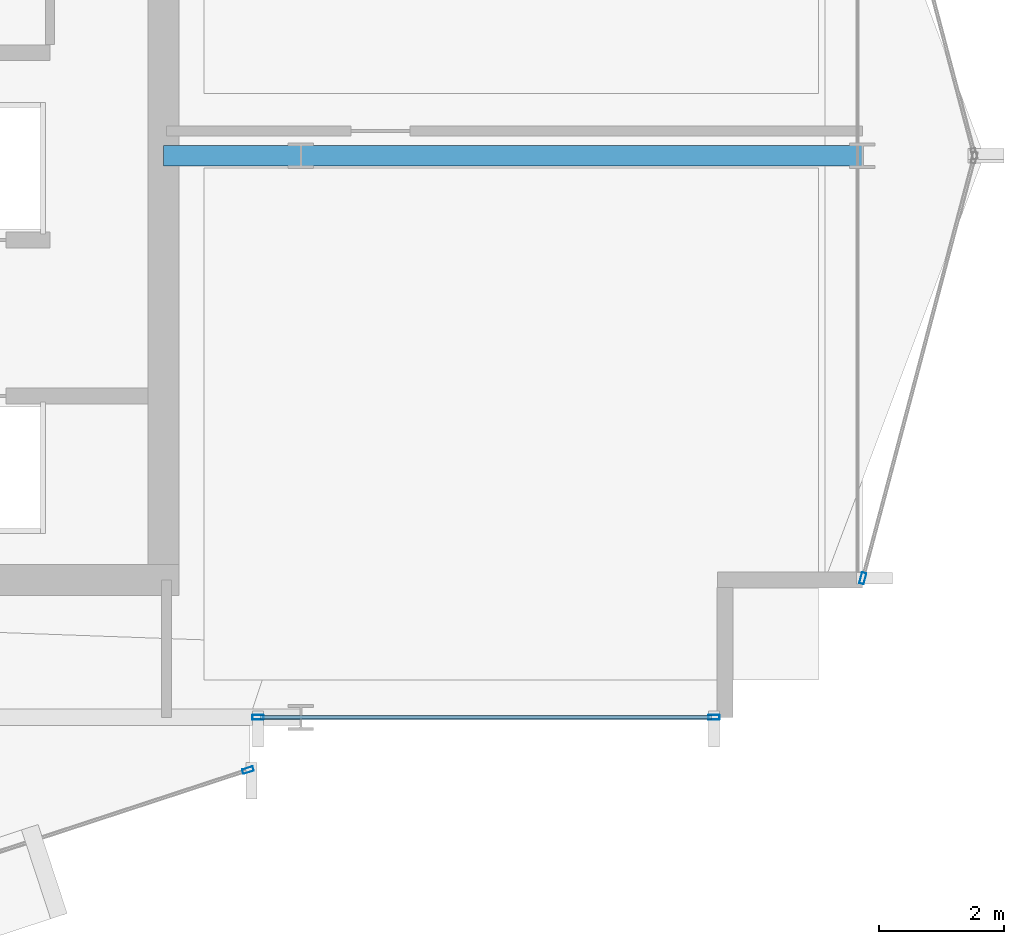
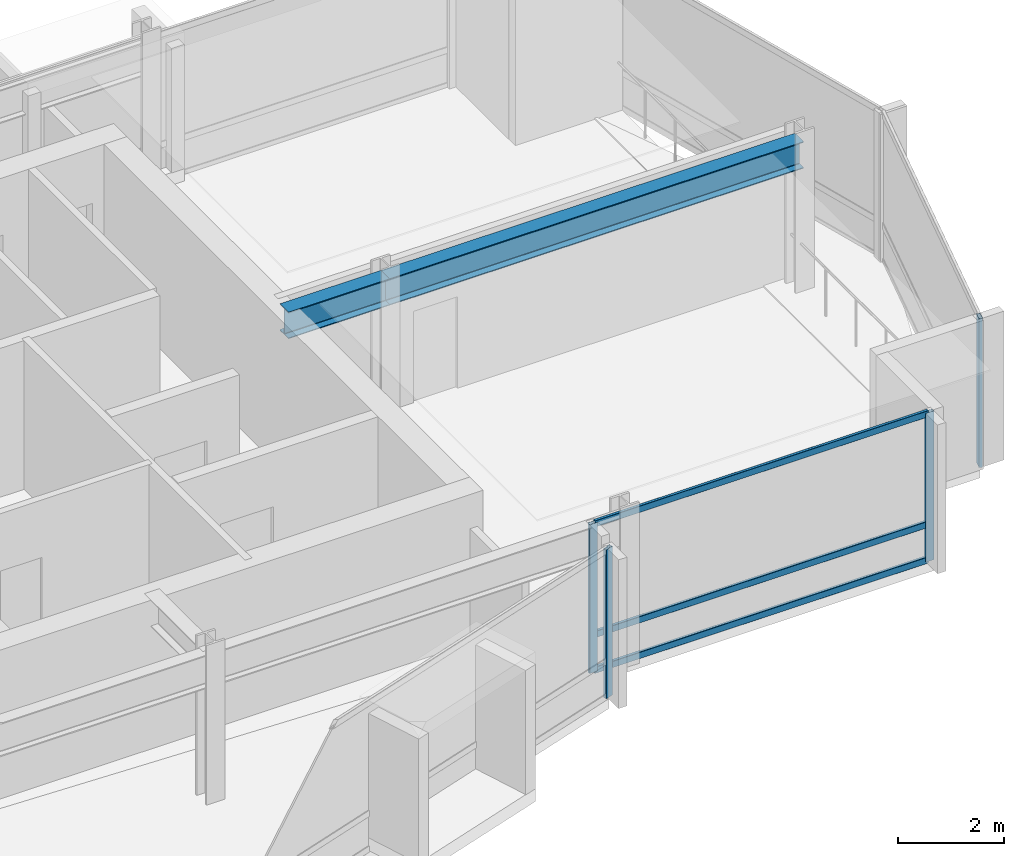
# One storey, part 10 of 27: 7 members, 2 beams, 3 elements without a shape of their own.
"""IFC4 building model written with IfcOpenShell, lengths in metres."""

from ifc_helpers import new_model, si_unit, direction, frame, origin, origin_2d, place, context, subcontext, project, spatial, hollow_rectangle, i_section, extrude, material, layer, layer_set, material_profile, profile_set, type_object, element, aggregate, save


model = new_model("IFC4")

# Units and contexts
model_context = context("Model", 3, precision=1e-05, world=origin(), true_north=direction((0.0, 1.0)))
body_context = subcontext(model_context, "Body", "Model", "MODEL_VIEW")
ifc_project = project(units=[si_unit("LENGTHUNIT", "METRE"), si_unit("AREAUNIT", "SQUARE_METRE"), si_unit("VOLUMEUNIT", "CUBIC_METRE"), si_unit("PLANEANGLEUNIT", "RADIAN"), si_unit("MASSUNIT", "GRAM", prefix="KILO")], contexts=[model_context])

# Site, building, storey
site_placement = place(None, origin())
site = spatial("IfcSite", under=ifc_project, at=site_placement, CompositionType="ELEMENT")
building_placement = place(site_placement, origin())
building = spatial("IfcBuilding", under=site, at=building_placement, Name="Solvaryn Broadcast Tower", CompositionType="ELEMENT")
storey_placement = place(building_placement, frame((0.0, 0.0, 185.300048828125)))
storey = spatial("IfcBuildingStorey", under=building, at=storey_placement, Name="L46", CompositionType="ELEMENT", Elevation=185.300048828125)

# Beams
ifc_material_1 = material(Name="Steel ASTM A992 Grade 50", Category="steel")
ifc_material_profile_1 = material_profile(ifc_material_1, i_section(OverallWidth=0.323974609375, OverallDepth=0.611083984375, WebThickness=0.0126953125, FlangeThickness=0.01904296875, FilletRadius=0.014892578125, at=origin_2d()))
ifc_profile_set_1 = profile_set([ifc_material_profile_1], Name="Steel ASTM A992 Grade 50")
beam_type = type_object("IfcBeamType", Name="BM-B1-W24X104", PredefinedType="BEAM", material=ifc_profile_set_1)
beam_1_placement = place(storey_placement, frame((45.0, 18.0, 3.114501953125), z_axis=(1.0, 0.0, 0.0), x_axis=(0.0, 1.0, 0.0)))
element("IfcBeam", 1, at=beam_1_placement, inside=storey, type_object=beam_type, Name="L46 Primary Beam X (45-54 @ Y=18)", PredefinedType="BEAM", context=body_context, shape_type="SweptSolid", body=[
    extrude(i_section(OverallWidth=0.323974609375, OverallDepth=0.611083984375, WebThickness=0.0126953125, FlangeThickness=0.01904296875, FilletRadius=0.014892578125, at=origin_2d()), origin(), (0.0, 0.0, 1.0), 9.0),
])
beam_2_placement = place(storey_placement, frame((42.800048828125, 18.0, 3.114501953125), z_axis=(1.0, 0.0, 0.0), x_axis=(0.0, 1.0, 0.0)))
element("IfcBeam", 2, at=beam_2_placement, inside=storey, type_object=beam_type, Name="L46 Core Tie Beam CTE3", PredefinedType="BEAM", context=body_context, shape_type="SweptSolid", body=[
    extrude(i_section(OverallWidth=0.323974609375, OverallDepth=0.611083984375, WebThickness=0.0126953125, FlangeThickness=0.01904296875, FilletRadius=0.014892578125, at=origin_2d()), origin(), (0.0, 0.0, 1.0), 2.199951171875),
])

# Curtain wall, member
ifc_material_2 = material(Name="Aluminium and Terracotta Unitised Curtain Wall", Category="masonry")
ifc_layer = layer(ifc_material_2, 0.199951171875)
ifc_layer_set = layer_set([ifc_layer], Name="CW-SYS2-LOWMID")
curtain_wall_type = type_object("IfcCurtainWallType", Name="CW-SYS2-LOWMID", PredefinedType="NOTDEFINED", material=ifc_layer_set)
curtain_wall_1_placement = place(storey_placement, origin())
curtain_wall_1 = element("IfcCurtainWall", 3, at=curtain_wall_1_placement, inside=storey, type_object=curtain_wall_type, Name="L46 Curtain Wall DR4", PredefinedType="NOTDEFINED")
ifc_material_3 = material(Name="Anodised Aluminium 6063-T6", Category="aluminium")
ifc_material_profile_2 = material_profile(ifc_material_3, hollow_rectangle(XDim=0.074951171875, YDim=0.179931640625, WallThickness=0.00390625, InnerFilletRadius=0.00390625, OuterFilletRadius=0.008056640625, at=origin_2d()))
ifc_profile_set_2 = profile_set([ifc_material_profile_2], Name="Anodised Aluminium 6063-T6")
member_type_1 = type_object("IfcMemberType", Name="CW-MUL-180", PredefinedType="MULLION", material=ifc_profile_set_2)
member_1_placement = place(storey_placement, frame((44.153564453125, 8.153564453125, 0.0), z_axis=(0.0, 0.0, 1.0), x_axis=(-0.311558717623, 0.950226902099, 0.0)))
member_1 = element("IfcMember", 4, at=member_1_placement, type_object=member_type_1, Name="CWS2 mullion 2", PredefinedType="MULLION", context=body_context, shape_type="SweptSolid", body=[
    extrude(hollow_rectangle(XDim=0.074951171875, YDim=0.179931640625, WallThickness=0.00390625, InnerFilletRadius=0.00390625, OuterFilletRadius=0.008056640625, at=origin_2d()), origin(), (0.0, 0.0, 1.0), 3.419921875),
])
aggregate(curtain_wall_1, [member_1])

# Curtain wall, members
curtain_wall_2_placement = place(storey_placement, origin())
curtain_wall_2 = element("IfcCurtainWall", 5, at=curtain_wall_2_placement, inside=storey, type_object=curtain_wall_type, Name="L46 Curtain Wall S2", PredefinedType="NOTDEFINED")
member_2_placement = place(storey_placement, frame((44.31201171875, 9.0, 0.0), z_axis=(0.0, 0.0, 1.0), x_axis=(0.0, 1.0, 0.0)))
member_2 = element("IfcMember", 6, at=member_2_placement, type_object=member_type_1, Name="CWS2 mullion 1", PredefinedType="MULLION", context=body_context, shape_type="SweptSolid", body=[
    extrude(hollow_rectangle(XDim=0.074951171875, YDim=0.179931640625, WallThickness=0.00390625, InnerFilletRadius=0.00390625, OuterFilletRadius=0.008056640625, at=origin_2d()), origin(), (0.0, 0.0, 1.0), 3.419921875),
])
member_3_placement = place(storey_placement, frame((51.6201171875, 9.0, 0.0), z_axis=(0.0, 0.0, 1.0), x_axis=(0.0, 1.0, 0.0)))
member_3 = element("IfcMember", 7, at=member_3_placement, type_object=member_type_1, Name="CWS2 mullion 2", PredefinedType="MULLION", context=body_context, shape_type="SweptSolid", body=[
    extrude(hollow_rectangle(XDim=0.074951171875, YDim=0.179931640625, WallThickness=0.00390625, InnerFilletRadius=0.00390625, OuterFilletRadius=0.008056640625, at=origin_2d()), origin(), (0.0, 0.0, 1.0), 3.419921875),
])

# Curtain wall, member
curtain_wall_3_placement = place(storey_placement, origin())
curtain_wall_3 = element("IfcCurtainWall", 8, at=curtain_wall_3_placement, inside=storey, type_object=curtain_wall_type, Name="L46 Curtain Wall ET2", PredefinedType="NOTDEFINED")
member_4_placement = place(storey_placement, frame((54.007568359375, 11.22900390625, 0.0), z_axis=(0.0, 0.0, 1.0), x_axis=(0.966705227863, -0.25589256031, 0.0)))
member_4 = element("IfcMember", 9, at=member_4_placement, type_object=member_type_1, Name="CWS2 mullion 2", PredefinedType="MULLION", context=body_context, shape_type="SweptSolid", body=[
    extrude(hollow_rectangle(XDim=0.074951171875, YDim=0.179931640625, WallThickness=0.00390625, InnerFilletRadius=0.00390625, OuterFilletRadius=0.008056640625, at=origin_2d()), origin(), (0.0, 0.0, 1.0), 3.419921875),
])
aggregate(curtain_wall_3, [member_4])

# Member
ifc_material_4 = material(Name="Anodised Aluminium 6063-T6", Category="aluminium")
ifc_material_profile_3 = material_profile(ifc_material_4, hollow_rectangle(XDim=0.06494140625, YDim=0.14990234375, WallThickness=0.00390625, InnerFilletRadius=0.00390625, OuterFilletRadius=0.008056640625, at=origin_2d()))
ifc_profile_set_3 = profile_set([ifc_material_profile_3], Name="Anodised Aluminium 6063-T6")
member_type_2 = type_object("IfcMemberType", Name="CW-TRN-150", PredefinedType="USERDEFINED", material=ifc_profile_set_3)
member_5_placement = place(storey_placement, frame((44.342041015625, 9.0, 0.030029296875), z_axis=(1.0, 0.0, 0.0), x_axis=(0.0, 1.0, 0.0)))
member_5 = element("IfcMember", 10, at=member_5_placement, type_object=member_type_2, Name="CWS2 transom 1.1", ObjectType="TRANSOM", PredefinedType="USERDEFINED", context=body_context, shape_type="SweptSolid", body=[
    extrude(hollow_rectangle(XDim=0.06494140625, YDim=0.14990234375, WallThickness=0.00390625, InnerFilletRadius=0.00390625, OuterFilletRadius=0.008056640625, at=origin_2d()), origin(), (0.0, 0.0, 1.0), 7.248046875),
])

member_6_placement = place(storey_placement, frame((44.342041015625, 9.0, 0.849853515625), z_axis=(1.0, 0.0, 0.0), x_axis=(0.0, 1.0, 0.0)))
member_6 = element("IfcMember", 11, at=member_6_placement, type_object=member_type_2, Name="CWS2 transom 1.2", ObjectType="TRANSOM", PredefinedType="USERDEFINED", context=body_context, shape_type="SweptSolid", body=[
    extrude(hollow_rectangle(XDim=0.06494140625, YDim=0.14990234375, WallThickness=0.00390625, InnerFilletRadius=0.00390625, OuterFilletRadius=0.008056640625, at=origin_2d()), origin(), (0.0, 0.0, 1.0), 7.248046875),
])

member_7_placement = place(storey_placement, frame((44.342041015625, 9.0, 3.389892578125), z_axis=(1.0, 0.0, 0.0), x_axis=(0.0, 1.0, 0.0)))
member_7 = element("IfcMember", 12, at=member_7_placement, type_object=member_type_2, Name="CWS2 transom 1.3", ObjectType="TRANSOM", PredefinedType="USERDEFINED", context=body_context, shape_type="SweptSolid", body=[
    extrude(hollow_rectangle(XDim=0.06494140625, YDim=0.14990234375, WallThickness=0.00390625, InnerFilletRadius=0.00390625, OuterFilletRadius=0.008056640625, at=origin_2d()), origin(), (0.0, 0.0, 1.0), 7.248046875),
])

aggregate(curtain_wall_2, [member_2, member_3, member_5, member_6, member_7])

save(model, "model.ifc")
